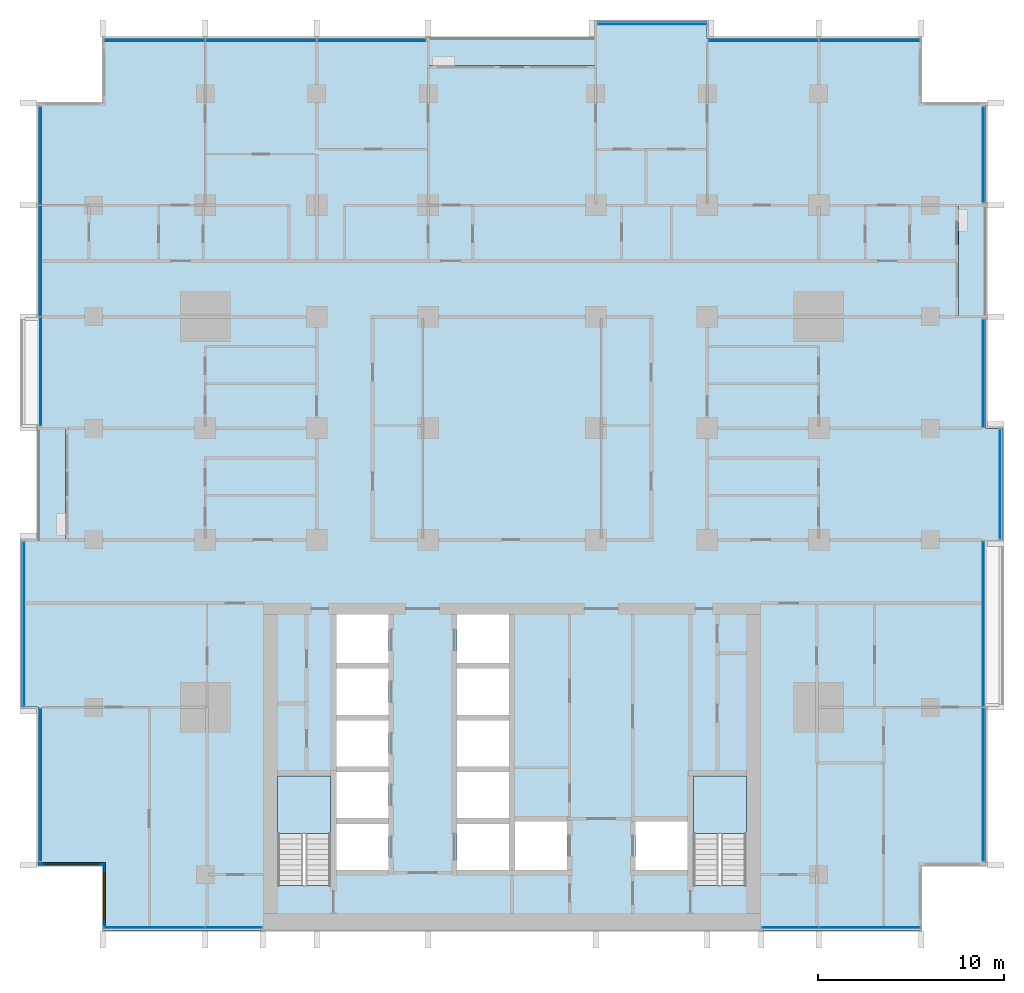
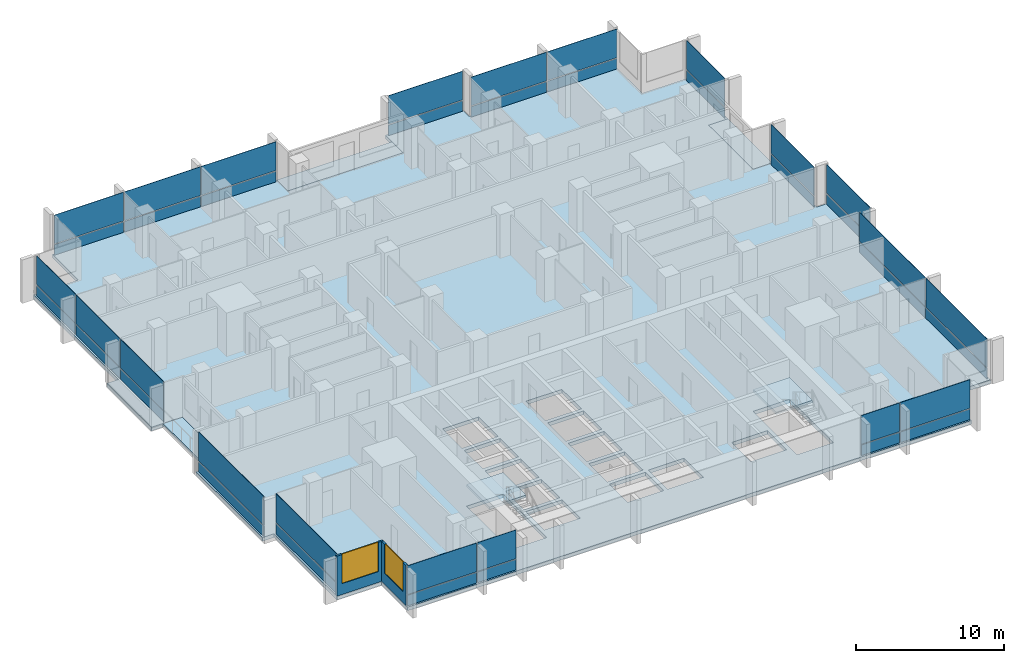
# One storey, part 6 of 17: 40 plates, 6 slabs, 2 walls, 2 windows, 2 openings, 14 elements without a shape of their own.
"""IFC4 building model written with IfcOpenShell, lengths in metres."""

from ifc_helpers import new_model, si_unit, direction, frame, frame_2d, origin, origin_2d, place, context, subcontext, project, spatial, polyline, rectangle, outline, extrude, material, layer, layer_set, type_object, element, fill, aggregate, save


model = new_model("IFC4")

# Units and contexts
model_context = context("Model", 3, precision=1e-05, world=origin(), true_north=direction((0.0, 1.0)))
body_context = subcontext(model_context, "Body", "Model", "MODEL_VIEW")
ifc_project = project(units=[si_unit("LENGTHUNIT", "METRE"), si_unit("AREAUNIT", "SQUARE_METRE"), si_unit("VOLUMEUNIT", "CUBIC_METRE"), si_unit("PLANEANGLEUNIT", "RADIAN"), si_unit("MASSUNIT", "GRAM", prefix="KILO")], contexts=[model_context])

# Site, building, storey
site_placement = place(None, origin())
site = spatial("IfcSite", under=ifc_project, at=site_placement, CompositionType="ELEMENT")
building_placement = place(site_placement, origin())
building = spatial("IfcBuilding", under=site, at=building_placement, Name="Finial Court Residences", CompositionType="ELEMENT")
storey_placement = place(building_placement, frame((0.0, 0.0, 99.10009765625)))
storey = spatial("IfcBuildingStorey", under=building, at=storey_placement, Name="L24", CompositionType="ELEMENT", Elevation=99.10009765625)

# Slabs
ifc_material_1 = material(Name="Concrete C35/45", Category="concrete")
ifc_layer_1 = layer(ifc_material_1, 0.199951171875)
ifc_layer_set_1 = layer_set([ifc_layer_1], Name="Balcony slab, Concrete C35/45 200")
slab_type_1 = type_object("IfcSlabType", Name="Balcony slab, Concrete C35/45 200", PredefinedType="FLOOR", material=ifc_layer_set_1)
slab_1_placement = place(storey_placement, frame((0.0, 0.0, -0.2001953125)))
element("IfcSlab", 1, at=slab_1_placement, inside=storey, type_object=slab_type_1, Name="Balcony L24-N4", PredefinedType="FLOOR", context=body_context, shape_type="SweptSolid", body=[
    extrude(outline(polyline([(4.5, 21.0), (4.5, 22.5), (-4.5, 22.5), (-4.5, 21.0), (4.5, 21.0)])), origin(), (0.0, 0.0, 1.0), 0.2001953125),
])
slab_2_placement = place(storey_placement, frame((0.0, 0.0, -0.2001953125)))
element("IfcSlab", 2, at=slab_2_placement, inside=storey, type_object=slab_type_1, Name="Balcony L24-E5", PredefinedType="FLOOR", context=body_context, shape_type="SweptSolid", body=[
    extrude(outline(polyline([(25.5, 7.5), (25.5, 13.5), (24.0, 13.5), (24.0, 7.5), (25.5, 7.5)])), origin(), (0.0, 0.0, 1.0), 0.2001953125),
])
slab_3_placement = place(storey_placement, frame((0.0, 0.0, -0.2001953125)))
element("IfcSlab", 3, at=slab_3_placement, inside=storey, type_object=slab_type_1, Name="Balcony L24-W3", PredefinedType="FLOOR", context=body_context, shape_type="SweptSolid", body=[
    extrude(outline(polyline([(-24.0, -4.5), (-24.0, 1.5), (-25.5, 1.5), (-25.5, -4.5), (-24.0, -4.5)])), origin(), (0.0, 0.0, 1.0), 0.2001953125),
])

# Curtain wall, plates
ifc_material_2 = material(Name="Bronze anodised aluminium", Category="aluminium")
curtain_wall_type = type_object("IfcCurtainWallType", Name="Unitised curtain wall, lower and middle zones", PredefinedType="NOTDEFINED", material=ifc_material_2)
curtain_wall_1_placement = place(storey_placement, origin())
curtain_wall_1 = element("IfcCurtainWall", 4, at=curtain_wall_1_placement, inside=storey, type_object=curtain_wall_type, Name="E-L24-CW-N1", PredefinedType="NOTDEFINED")
ifc_layer_2 = layer(ifc_material_2, 0.0400390625)
ifc_layer_set_2 = layer_set([ifc_layer_2], Name="CW1 spandrel panel 40")
plate_type_1 = type_object("IfcPlateType", Name="CW1 spandrel panel 40", PredefinedType="CURTAIN_PANEL", material=ifc_layer_set_2)
plate_1_placement = place(storey_placement, frame((-19.23388671875, 22.35009765625, 0.0), z_axis=(0.0, 0.0, 1.0), x_axis=(1.0, 0.0, 0.0)))
plate_1 = element("IfcPlate", 5, at=plate_1_placement, type_object=plate_type_1, Name="CW1 spandrel 1.1", PredefinedType="CURTAIN_PANEL", context=body_context, shape_type="SweptSolid", body=[
    extrude(rectangle(XDim=5.402587890625, YDim=0.0400390625, at=origin_2d()), origin(), (0.0, 0.0, 1.0), 0.867431640625),
])
plate_2_placement = place(storey_placement, frame((-13.5, 22.35009765625, 0.0), z_axis=(0.0, 0.0, 1.0), x_axis=(1.0, 0.0, 0.0)))
plate_2 = element("IfcPlate", 6, at=plate_2_placement, type_object=plate_type_1, Name="CW1 spandrel 2.1", PredefinedType="CURTAIN_PANEL", context=body_context, shape_type="SweptSolid", body=[
    extrude(rectangle(XDim=5.93505859375, YDim=0.0400390625, at=origin_2d()), origin(), (0.0, 0.0, 1.0), 0.867431640625),
])
plate_3_placement = place(storey_placement, frame((-7.5537109375, 22.35009765625, 0.0), z_axis=(0.0, 0.0, 1.0), x_axis=(1.0, 0.0, 0.0)))
plate_3 = element("IfcPlate", 7, at=plate_3_placement, type_object=plate_type_1, Name="CW1 spandrel 3.1", PredefinedType="CURTAIN_PANEL", context=body_context, shape_type="SweptSolid", body=[
    extrude(rectangle(XDim=5.827392578125, YDim=0.0400390625, at=origin_2d()), origin(), (0.0, 0.0, 1.0), 0.867431640625),
])

# Curtain wall, plate
curtain_wall_2_placement = place(storey_placement, origin())
curtain_wall_2 = element("IfcCurtainWall", 8, at=curtain_wall_2_placement, inside=storey, type_object=curtain_wall_type, Name="E-L24-CW-N2", PredefinedType="NOTDEFINED")
plate_4_placement = place(storey_placement, frame((7.53759765625, 23.25, 0.0), z_axis=(0.0, 0.0, 1.0), x_axis=(1.0, 0.0, 0.0)))
plate_4 = element("IfcPlate", 9, at=plate_4_placement, type_object=plate_type_1, Name="CW1 spandrel 1.1", PredefinedType="CURTAIN_PANEL", context=body_context, shape_type="SweptSolid", body=[
    extrude(rectangle(XDim=5.794921875, YDim=0.0400390625, at=origin_2d()), origin(), (0.0, 0.0, 1.0), 0.867431640625),
])

# Curtain wall, plates
curtain_wall_3_placement = place(storey_placement, origin())
curtain_wall_3 = element("IfcCurtainWall", 10, at=curtain_wall_3_placement, inside=storey, type_object=curtain_wall_type, Name="E-L24-CW-N3", PredefinedType="NOTDEFINED")
plate_5_placement = place(storey_placement, frame((13.516357421875, 22.35009765625, 0.0), z_axis=(0.0, 0.0, 1.0), x_axis=(1.0, 0.0, 0.0)))
plate_5 = element("IfcPlate", 11, at=plate_5_placement, type_object=plate_type_1, Name="CW1 spandrel 1.1", PredefinedType="CURTAIN_PANEL", context=body_context, shape_type="SweptSolid", body=[
    extrude(rectangle(XDim=5.902587890625, YDim=0.0400390625, at=origin_2d()), origin(), (0.0, 0.0, 1.0), 0.867431640625),
])
plate_6_placement = place(storey_placement, frame((19.23388671875, 22.35009765625, 0.0), z_axis=(0.0, 0.0, 1.0), x_axis=(1.0, 0.0, 0.0)))
plate_6 = element("IfcPlate", 12, at=plate_6_placement, type_object=plate_type_1, Name="CW1 spandrel 2.1", PredefinedType="CURTAIN_PANEL", context=body_context, shape_type="SweptSolid", body=[
    extrude(rectangle(XDim=5.402587890625, YDim=0.0400390625, at=origin_2d()), origin(), (0.0, 0.0, 1.0), 0.867431640625),
])

curtain_wall_4_placement = place(storey_placement, origin())
curtain_wall_4 = element("IfcCurtainWall", 13, at=curtain_wall_4_placement, inside=storey, type_object=curtain_wall_type, Name="E-L24-CW-E4", PredefinedType="NOTDEFINED")
plate_7_placement = place(storey_placement, frame((25.35009765625, -17.65869140625, 0.0), z_axis=(0.0, 0.0, 1.0), x_axis=(0.0, 1.0, 0.0)))
plate_7 = element("IfcPlate", 14, at=plate_7_placement, type_object=plate_type_1, Name="CW1 spandrel 1.1", PredefinedType="CURTAIN_PANEL", context=body_context, shape_type="SweptSolid", body=[
    extrude(rectangle(XDim=8.25244140625, YDim=0.0400390625, at=origin_2d()), origin(), (0.0, 0.0, 1.0), 0.867431640625),
])
plate_8_placement = place(storey_placement, frame((25.35009765625, -9.01611328125, 0.0), z_axis=(0.0, 0.0, 1.0), x_axis=(0.0, 1.0, 0.0)))
plate_8 = element("IfcPlate", 15, at=plate_8_placement, type_object=plate_type_1, Name="CW1 spandrel 2.1", PredefinedType="CURTAIN_PANEL", context=body_context, shape_type="SweptSolid", body=[
    extrude(rectangle(XDim=8.902587890625, YDim=0.0400390625, at=origin_2d()), origin(), (0.0, 0.0, 1.0), 0.867431640625),
])

# Curtain wall, plate
curtain_wall_5_placement = place(storey_placement, origin())
curtain_wall_5 = element("IfcCurtainWall", 16, at=curtain_wall_5_placement, inside=storey, type_object=curtain_wall_type, Name="E-L24-CW-E5", PredefinedType="NOTDEFINED")
plate_9_placement = place(storey_placement, frame((26.25, -1.5, 0.0), z_axis=(0.0, 0.0, 1.0), x_axis=(0.0, 1.0, 0.0)))
plate_9 = element("IfcPlate", 17, at=plate_9_placement, type_object=plate_type_1, Name="CW1 spandrel 1.1", PredefinedType="CURTAIN_PANEL", context=body_context, shape_type="SweptSolid", body=[
    extrude(rectangle(XDim=5.8701171875, YDim=0.0400390625, at=origin_2d()), origin(), (0.0, 0.0, 1.0), 0.867431640625),
])

curtain_wall_6_placement = place(storey_placement, origin())
curtain_wall_6 = element("IfcCurtainWall", 18, at=curtain_wall_6_placement, inside=storey, type_object=curtain_wall_type, Name="E-L24-CW-E6", PredefinedType="NOTDEFINED")
plate_10_placement = place(storey_placement, frame((25.35009765625, 4.46240234375, 0.0), z_axis=(0.0, 0.0, 1.0), x_axis=(0.0, 1.0, 0.0)))
plate_10 = element("IfcPlate", 19, at=plate_10_placement, type_object=plate_type_1, Name="CW1 spandrel 1.1", PredefinedType="CURTAIN_PANEL", context=body_context, shape_type="SweptSolid", body=[
    extrude(rectangle(XDim=5.794921875, YDim=0.0400390625, at=origin_2d()), origin(), (0.0, 0.0, 1.0), 0.867431640625),
])

curtain_wall_7_placement = place(storey_placement, origin())
curtain_wall_7 = element("IfcCurtainWall", 20, at=curtain_wall_7_placement, inside=storey, type_object=curtain_wall_type, Name="E-L24-CW-E7", PredefinedType="NOTDEFINED")
plate_11_placement = place(storey_placement, frame((25.35009765625, 16.21240234375, 0.0), z_axis=(0.0, 0.0, 1.0), x_axis=(0.0, 1.0, 0.0)))
plate_11 = element("IfcPlate", 21, at=plate_11_placement, type_object=plate_type_1, Name="CW1 spandrel 1.1", PredefinedType="CURTAIN_PANEL", context=body_context, shape_type="SweptSolid", body=[
    extrude(rectangle(XDim=5.14501953125, YDim=0.0400390625, at=origin_2d()), origin(), (0.0, 0.0, 1.0), 0.867431640625),
])

# Curtain wall, plates
curtain_wall_8_placement = place(storey_placement, origin())
curtain_wall_8 = element("IfcCurtainWall", 22, at=curtain_wall_8_placement, inside=storey, type_object=curtain_wall_type, Name="E-L24-CW-S8", PredefinedType="NOTDEFINED")
plate_12_placement = place(storey_placement, frame((-19.23388671875, -25.35009765625, 0.0), z_axis=(0.0, 0.0, 1.0), x_axis=(1.0, 0.0, 0.0)))
plate_12 = element("IfcPlate", 23, at=plate_12_placement, type_object=plate_type_1, Name="CW1 spandrel 1.1", PredefinedType="CURTAIN_PANEL", context=body_context, shape_type="SweptSolid", body=[
    extrude(rectangle(XDim=5.402587890625, YDim=0.0400390625, at=origin_2d()), origin(), (0.0, 0.0, 1.0), 0.867431640625),
])
plate_13_placement = place(storey_placement, frame((-14.96630859375, -25.35009765625, 0.0), z_axis=(0.0, 0.0, 1.0), x_axis=(1.0, 0.0, 0.0)))
plate_13 = element("IfcPlate", 24, at=plate_13_placement, type_object=plate_type_1, Name="CW1 spandrel 2.1", PredefinedType="CURTAIN_PANEL", context=body_context, shape_type="SweptSolid", body=[
    extrude(rectangle(XDim=3.00244140625, YDim=0.0400390625, at=origin_2d()), origin(), (0.0, 0.0, 1.0), 0.867431640625),
])

curtain_wall_9_placement = place(storey_placement, origin())
curtain_wall_9 = element("IfcCurtainWall", 25, at=curtain_wall_9_placement, inside=storey, type_object=curtain_wall_type, Name="E-L24-CW-S9", PredefinedType="NOTDEFINED")
plate_14_placement = place(storey_placement, frame((14.96630859375, -25.35009765625, 0.0), z_axis=(0.0, 0.0, 1.0), x_axis=(1.0, 0.0, 0.0)))
plate_14 = element("IfcPlate", 26, at=plate_14_placement, type_object=plate_type_1, Name="CW1 spandrel 1.1", PredefinedType="CURTAIN_PANEL", context=body_context, shape_type="SweptSolid", body=[
    extrude(rectangle(XDim=3.00244140625, YDim=0.0400390625, at=origin_2d()), origin(), (0.0, 0.0, 1.0), 0.867431640625),
])
plate_15_placement = place(storey_placement, frame((19.23388671875, -25.35009765625, 0.0), z_axis=(0.0, 0.0, 1.0), x_axis=(1.0, 0.0, 0.0)))
plate_15 = element("IfcPlate", 27, at=plate_15_placement, type_object=plate_type_1, Name="CW1 spandrel 2.1", PredefinedType="CURTAIN_PANEL", context=body_context, shape_type="SweptSolid", body=[
    extrude(rectangle(XDim=5.402587890625, YDim=0.0400390625, at=origin_2d()), origin(), (0.0, 0.0, 1.0), 0.867431640625),
])

# Curtain wall, plate
curtain_wall_10_placement = place(storey_placement, origin())
curtain_wall_10 = element("IfcCurtainWall", 28, at=curtain_wall_10_placement, inside=storey, type_object=curtain_wall_type, Name="E-L24-CW-W10", PredefinedType="NOTDEFINED")
plate_16_placement = place(storey_placement, frame((-25.35009765625, -17.675048828125, 0.0), z_axis=(0.0, 0.0, 1.0), x_axis=(0.0, 1.0, 0.0)))
plate_16 = element("IfcPlate", 29, at=plate_16_placement, type_object=plate_type_1, Name="CW1 spandrel 1.1", PredefinedType="CURTAIN_PANEL", context=body_context, shape_type="SweptSolid", body=[
    extrude(rectangle(XDim=8.219970703125, YDim=0.0400390625, at=origin_2d()), origin(), (0.0, 0.0, 1.0), 0.867431640625),
])

curtain_wall_11_placement = place(storey_placement, origin())
curtain_wall_11 = element("IfcCurtainWall", 30, at=curtain_wall_11_placement, inside=storey, type_object=curtain_wall_type, Name="E-L24-CW-W11", PredefinedType="NOTDEFINED")
plate_17_placement = place(storey_placement, frame((-26.25, -9.03759765625, 0.0), z_axis=(0.0, 0.0, 1.0), x_axis=(0.0, 1.0, 0.0)))
plate_17 = element("IfcPlate", 31, at=plate_17_placement, type_object=plate_type_1, Name="CW1 spandrel 1.1", PredefinedType="CURTAIN_PANEL", context=body_context, shape_type="SweptSolid", body=[
    extrude(rectangle(XDim=8.794921875, YDim=0.0400390625, at=origin_2d()), origin(), (0.0, 0.0, 1.0), 0.867431640625),
])

# Curtain wall, plates
curtain_wall_12_placement = place(storey_placement, origin())
curtain_wall_12 = element("IfcCurtainWall", 32, at=curtain_wall_12_placement, inside=storey, type_object=curtain_wall_type, Name="E-L24-CW-W12", PredefinedType="NOTDEFINED")
plate_18_placement = place(storey_placement, frame((-25.35009765625, 4.5537109375, 0.0), z_axis=(0.0, 0.0, 1.0), x_axis=(0.0, 1.0, 0.0)))
plate_18 = element("IfcPlate", 33, at=plate_18_placement, type_object=plate_type_1, Name="CW1 spandrel 1.1", PredefinedType="CURTAIN_PANEL", context=body_context, shape_type="SweptSolid", body=[
    extrude(rectangle(XDim=5.827392578125, YDim=0.0400390625, at=origin_2d()), origin(), (0.0, 0.0, 1.0), 0.867431640625),
])
plate_19_placement = place(storey_placement, frame((-25.35009765625, 10.5, 0.0), z_axis=(0.0, 0.0, 1.0), x_axis=(0.0, 1.0, 0.0)))
plate_19 = element("IfcPlate", 34, at=plate_19_placement, type_object=plate_type_1, Name="CW1 spandrel 2.1", PredefinedType="CURTAIN_PANEL", context=body_context, shape_type="SweptSolid", body=[
    extrude(rectangle(XDim=5.93505859375, YDim=0.0400390625, at=origin_2d()), origin(), (0.0, 0.0, 1.0), 0.867431640625),
])
plate_20_placement = place(storey_placement, frame((-25.35009765625, 16.15869140625, 0.0), z_axis=(0.0, 0.0, 1.0), x_axis=(0.0, 1.0, 0.0)))
plate_20 = element("IfcPlate", 35, at=plate_20_placement, type_object=plate_type_1, Name="CW1 spandrel 3.1", PredefinedType="CURTAIN_PANEL", context=body_context, shape_type="SweptSolid", body=[
    extrude(rectangle(XDim=5.25244140625, YDim=0.0400390625, at=origin_2d()), origin(), (0.0, 0.0, 1.0), 0.867431640625),
])

# Plate
ifc_material_3 = material(Name="Clear low-e glass", Category="glass")
ifc_layer_3 = layer(ifc_material_3, 0.031982421875)
ifc_layer_set_3 = layer_set([ifc_layer_3], Name="CW1 vision glass 32")
plate_type_2 = type_object("IfcPlateType", Name="CW1 vision glass 32", PredefinedType="CURTAIN_PANEL", material=ifc_layer_set_3)
plate_21_placement = place(storey_placement, frame((-19.23388671875, 22.35009765625, 0.9326171875), z_axis=(0.0, 0.0, 1.0), x_axis=(1.0, 0.0, 0.0)))
plate_21 = element("IfcPlate", 36, at=plate_21_placement, type_object=plate_type_2, Name="CW1 glass 1.2", PredefinedType="CURTAIN_PANEL", context=body_context, shape_type="SweptSolid", body=[
    extrude(rectangle(XDim=5.402587890625, YDim=0.031982421875, at=origin_2d()), origin(), (0.0, 0.0, 1.0), 2.367431640625),
])

plate_22_placement = place(storey_placement, frame((-13.5, 22.35009765625, 0.9326171875), z_axis=(0.0, 0.0, 1.0), x_axis=(1.0, 0.0, 0.0)))
plate_22 = element("IfcPlate", 37, at=plate_22_placement, type_object=plate_type_2, Name="CW1 glass 2.2", PredefinedType="CURTAIN_PANEL", context=body_context, shape_type="SweptSolid", body=[
    extrude(rectangle(XDim=5.93505859375, YDim=0.031982421875, at=origin_2d()), origin(), (0.0, 0.0, 1.0), 2.367431640625),
])

plate_23_placement = place(storey_placement, frame((-7.5537109375, 22.35009765625, 0.9326171875), z_axis=(0.0, 0.0, 1.0), x_axis=(1.0, 0.0, 0.0)))
plate_23 = element("IfcPlate", 38, at=plate_23_placement, type_object=plate_type_2, Name="CW1 glass 3.2", PredefinedType="CURTAIN_PANEL", context=body_context, shape_type="SweptSolid", body=[
    extrude(rectangle(XDim=5.827392578125, YDim=0.031982421875, at=origin_2d()), origin(), (0.0, 0.0, 1.0), 2.367431640625),
])

aggregate(curtain_wall_1, [plate_1, plate_21, plate_2, plate_22, plate_3, plate_23])

plate_24_placement = place(storey_placement, frame((7.53759765625, 23.25, 0.9326171875), z_axis=(0.0, 0.0, 1.0), x_axis=(1.0, 0.0, 0.0)))
plate_24 = element("IfcPlate", 39, at=plate_24_placement, type_object=plate_type_2, Name="CW1 glass 1.2", PredefinedType="CURTAIN_PANEL", context=body_context, shape_type="SweptSolid", body=[
    extrude(rectangle(XDim=5.794921875, YDim=0.031982421875, at=origin_2d()), origin(), (0.0, 0.0, 1.0), 2.367431640625),
])

aggregate(curtain_wall_2, [plate_4, plate_24])

plate_25_placement = place(storey_placement, frame((13.516357421875, 22.35009765625, 0.9326171875), z_axis=(0.0, 0.0, 1.0), x_axis=(1.0, 0.0, 0.0)))
plate_25 = element("IfcPlate", 40, at=plate_25_placement, type_object=plate_type_2, Name="CW1 glass 1.2", PredefinedType="CURTAIN_PANEL", context=body_context, shape_type="SweptSolid", body=[
    extrude(rectangle(XDim=5.902587890625, YDim=0.031982421875, at=origin_2d()), origin(), (0.0, 0.0, 1.0), 2.367431640625),
])

plate_26_placement = place(storey_placement, frame((19.23388671875, 22.35009765625, 0.9326171875), z_axis=(0.0, 0.0, 1.0), x_axis=(1.0, 0.0, 0.0)))
plate_26 = element("IfcPlate", 41, at=plate_26_placement, type_object=plate_type_2, Name="CW1 glass 2.2", PredefinedType="CURTAIN_PANEL", context=body_context, shape_type="SweptSolid", body=[
    extrude(rectangle(XDim=5.402587890625, YDim=0.031982421875, at=origin_2d()), origin(), (0.0, 0.0, 1.0), 2.367431640625),
])

aggregate(curtain_wall_3, [plate_5, plate_25, plate_6, plate_26])

plate_27_placement = place(storey_placement, frame((25.35009765625, -17.65869140625, 0.9326171875), z_axis=(0.0, 0.0, 1.0), x_axis=(0.0, 1.0, 0.0)))
plate_27 = element("IfcPlate", 42, at=plate_27_placement, type_object=plate_type_2, Name="CW1 glass 1.2", PredefinedType="CURTAIN_PANEL", context=body_context, shape_type="SweptSolid", body=[
    extrude(rectangle(XDim=8.25244140625, YDim=0.031982421875, at=origin_2d()), origin(), (0.0, 0.0, 1.0), 2.367431640625),
])

plate_28_placement = place(storey_placement, frame((25.35009765625, -9.01611328125, 0.9326171875), z_axis=(0.0, 0.0, 1.0), x_axis=(0.0, 1.0, 0.0)))
plate_28 = element("IfcPlate", 43, at=plate_28_placement, type_object=plate_type_2, Name="CW1 glass 2.2", PredefinedType="CURTAIN_PANEL", context=body_context, shape_type="SweptSolid", body=[
    extrude(rectangle(XDim=8.902587890625, YDim=0.031982421875, at=origin_2d()), origin(), (0.0, 0.0, 1.0), 2.367431640625),
])

aggregate(curtain_wall_4, [plate_7, plate_27, plate_8, plate_28])

plate_29_placement = place(storey_placement, frame((26.25, -1.5, 0.9326171875), z_axis=(0.0, 0.0, 1.0), x_axis=(0.0, 1.0, 0.0)))
plate_29 = element("IfcPlate", 44, at=plate_29_placement, type_object=plate_type_2, Name="CW1 glass 1.2", PredefinedType="CURTAIN_PANEL", context=body_context, shape_type="SweptSolid", body=[
    extrude(rectangle(XDim=5.8701171875, YDim=0.031982421875, at=origin_2d()), origin(), (0.0, 0.0, 1.0), 2.367431640625),
])

aggregate(curtain_wall_5, [plate_9, plate_29])

plate_30_placement = place(storey_placement, frame((25.35009765625, 4.46240234375, 0.9326171875), z_axis=(0.0, 0.0, 1.0), x_axis=(0.0, 1.0, 0.0)))
plate_30 = element("IfcPlate", 45, at=plate_30_placement, type_object=plate_type_2, Name="CW1 glass 1.2", PredefinedType="CURTAIN_PANEL", context=body_context, shape_type="SweptSolid", body=[
    extrude(rectangle(XDim=5.794921875, YDim=0.031982421875, at=origin_2d()), origin(), (0.0, 0.0, 1.0), 2.367431640625),
])

aggregate(curtain_wall_6, [plate_10, plate_30])

plate_31_placement = place(storey_placement, frame((25.35009765625, 16.21240234375, 0.9326171875), z_axis=(0.0, 0.0, 1.0), x_axis=(0.0, 1.0, 0.0)))
plate_31 = element("IfcPlate", 46, at=plate_31_placement, type_object=plate_type_2, Name="CW1 glass 1.2", PredefinedType="CURTAIN_PANEL", context=body_context, shape_type="SweptSolid", body=[
    extrude(rectangle(XDim=5.14501953125, YDim=0.031982421875, at=origin_2d()), origin(), (0.0, 0.0, 1.0), 2.367431640625),
])

aggregate(curtain_wall_7, [plate_11, plate_31])

plate_32_placement = place(storey_placement, frame((-19.23388671875, -25.35009765625, 0.9326171875), z_axis=(0.0, 0.0, 1.0), x_axis=(1.0, 0.0, 0.0)))
plate_32 = element("IfcPlate", 47, at=plate_32_placement, type_object=plate_type_2, Name="CW1 glass 1.2", PredefinedType="CURTAIN_PANEL", context=body_context, shape_type="SweptSolid", body=[
    extrude(rectangle(XDim=5.402587890625, YDim=0.031982421875, at=origin_2d()), origin(), (0.0, 0.0, 1.0), 2.367431640625),
])

plate_33_placement = place(storey_placement, frame((-14.96630859375, -25.35009765625, 0.9326171875), z_axis=(0.0, 0.0, 1.0), x_axis=(1.0, 0.0, 0.0)))
plate_33 = element("IfcPlate", 48, at=plate_33_placement, type_object=plate_type_2, Name="CW1 glass 2.2", PredefinedType="CURTAIN_PANEL", context=body_context, shape_type="SweptSolid", body=[
    extrude(rectangle(XDim=3.00244140625, YDim=0.031982421875, at=origin_2d()), origin(), (0.0, 0.0, 1.0), 2.367431640625),
])

aggregate(curtain_wall_8, [plate_12, plate_32, plate_13, plate_33])

plate_34_placement = place(storey_placement, frame((14.96630859375, -25.35009765625, 0.9326171875), z_axis=(0.0, 0.0, 1.0), x_axis=(1.0, 0.0, 0.0)))
plate_34 = element("IfcPlate", 49, at=plate_34_placement, type_object=plate_type_2, Name="CW1 glass 1.2", PredefinedType="CURTAIN_PANEL", context=body_context, shape_type="SweptSolid", body=[
    extrude(rectangle(XDim=3.00244140625, YDim=0.031982421875, at=origin_2d()), origin(), (0.0, 0.0, 1.0), 2.367431640625),
])

plate_35_placement = place(storey_placement, frame((19.23388671875, -25.35009765625, 0.9326171875), z_axis=(0.0, 0.0, 1.0), x_axis=(1.0, 0.0, 0.0)))
plate_35 = element("IfcPlate", 50, at=plate_35_placement, type_object=plate_type_2, Name="CW1 glass 2.2", PredefinedType="CURTAIN_PANEL", context=body_context, shape_type="SweptSolid", body=[
    extrude(rectangle(XDim=5.402587890625, YDim=0.031982421875, at=origin_2d()), origin(), (0.0, 0.0, 1.0), 2.367431640625),
])

aggregate(curtain_wall_9, [plate_14, plate_34, plate_15, plate_35])

plate_36_placement = place(storey_placement, frame((-25.35009765625, -17.675048828125, 0.9326171875), z_axis=(0.0, 0.0, 1.0), x_axis=(0.0, 1.0, 0.0)))
plate_36 = element("IfcPlate", 51, at=plate_36_placement, type_object=plate_type_2, Name="CW1 glass 1.2", PredefinedType="CURTAIN_PANEL", context=body_context, shape_type="SweptSolid", body=[
    extrude(rectangle(XDim=8.219970703125, YDim=0.031982421875, at=origin_2d()), origin(), (0.0, 0.0, 1.0), 2.367431640625),
])

aggregate(curtain_wall_10, [plate_16, plate_36])

plate_37_placement = place(storey_placement, frame((-26.25, -9.03759765625, 0.9326171875), z_axis=(0.0, 0.0, 1.0), x_axis=(0.0, 1.0, 0.0)))
plate_37 = element("IfcPlate", 52, at=plate_37_placement, type_object=plate_type_2, Name="CW1 glass 1.2", PredefinedType="CURTAIN_PANEL", context=body_context, shape_type="SweptSolid", body=[
    extrude(rectangle(XDim=8.794921875, YDim=0.031982421875, at=origin_2d()), origin(), (0.0, 0.0, 1.0), 2.367431640625),
])

aggregate(curtain_wall_11, [plate_17, plate_37])

plate_38_placement = place(storey_placement, frame((-25.35009765625, 4.5537109375, 0.9326171875), z_axis=(0.0, 0.0, 1.0), x_axis=(0.0, 1.0, 0.0)))
plate_38 = element("IfcPlate", 53, at=plate_38_placement, type_object=plate_type_2, Name="CW1 glass 1.2", PredefinedType="CURTAIN_PANEL", context=body_context, shape_type="SweptSolid", body=[
    extrude(rectangle(XDim=5.827392578125, YDim=0.031982421875, at=origin_2d()), origin(), (0.0, 0.0, 1.0), 2.367431640625),
])

plate_39_placement = place(storey_placement, frame((-25.35009765625, 10.5, 0.9326171875), z_axis=(0.0, 0.0, 1.0), x_axis=(0.0, 1.0, 0.0)))
plate_39 = element("IfcPlate", 54, at=plate_39_placement, type_object=plate_type_2, Name="CW1 glass 2.2", PredefinedType="CURTAIN_PANEL", context=body_context, shape_type="SweptSolid", body=[
    extrude(rectangle(XDim=5.93505859375, YDim=0.031982421875, at=origin_2d()), origin(), (0.0, 0.0, 1.0), 2.367431640625),
])

plate_40_placement = place(storey_placement, frame((-25.35009765625, 16.15869140625, 0.9326171875), z_axis=(0.0, 0.0, 1.0), x_axis=(0.0, 1.0, 0.0)))
plate_40 = element("IfcPlate", 55, at=plate_40_placement, type_object=plate_type_2, Name="CW1 glass 3.2", PredefinedType="CURTAIN_PANEL", context=body_context, shape_type="SweptSolid", body=[
    extrude(rectangle(XDim=5.25244140625, YDim=0.031982421875, at=origin_2d()), origin(), (0.0, 0.0, 1.0), 2.367431640625),
])

aggregate(curtain_wall_12, [plate_18, plate_38, plate_19, plate_39, plate_20, plate_40])

# Stair, slab
ifc_material_4 = material(Name="Concrete C50/60", Category="concrete")
stair_type = type_object("IfcStairType", Name="Exit stair 22 risers of 163.6 mm", PredefinedType="HALF_TURN_STAIR", material=ifc_material_4)
stair_1_placement = place(storey_placement, origin())
stair_1 = element("IfcStair", 56, at=stair_1_placement, inside=storey, type_object=stair_type, Name="L24 Exit stair ST-1", PredefinedType="HALF_TURN_STAIR")
ifc_layer_4 = layer(ifc_material_4, 0.199951171875)
ifc_layer_set_4 = layer_set([ifc_layer_4], Name="Exit stair landing")
slab_type_2 = type_object("IfcSlabType", Name="Exit stair landing", PredefinedType="LANDING", material=ifc_layer_set_4)
slab_4_placement = place(storey_placement, frame((0.0, 0.0, 1.599853515625)))
slab_4 = element("IfcSlab", 57, at=slab_4_placement, type_object=slab_type_2, Name="ST-1 landing 1", PredefinedType="LANDING", context=body_context, shape_type="SweptSolid", body=[
    extrude(outline(polyline([(-9.75, -20.300048828125), (-9.75, -17.199951171875), (-12.60009765625, -17.199951171875), (-12.60009765625, -20.300048828125), (-9.75, -20.300048828125)])), origin(), (0.0, 0.0, 1.0), 0.199951171875),
])
aggregate(stair_1, [slab_4])

stair_2_placement = place(storey_placement, origin())
stair_2 = element("IfcStair", 58, at=stair_2_placement, inside=storey, type_object=stair_type, Name="L24 Exit stair ST-2", PredefinedType="HALF_TURN_STAIR")
slab_5_placement = place(storey_placement, frame((0.0, 0.0, 1.599853515625)))
slab_5 = element("IfcSlab", 59, at=slab_5_placement, type_object=slab_type_2, Name="ST-2 landing 1", PredefinedType="LANDING", context=body_context, shape_type="SweptSolid", body=[
    extrude(outline(polyline([(12.60009765625, -20.300048828125), (12.60009765625, -17.199951171875), (9.75, -17.199951171875), (9.75, -20.300048828125), (12.60009765625, -20.300048828125)])), origin(), (0.0, 0.0, 1.0), 0.199951171875),
])
aggregate(stair_2, [slab_5])

# Slab
ifc_material_5 = material(Name="Concrete C40/50", Category="concrete")
ifc_layer_5 = layer(ifc_material_5, 0.300048828125)
ifc_layer_set_5 = layer_set([ifc_layer_5], Name="Flat plate slab 300 Concrete C40/50")
slab_type_3 = type_object("IfcSlabType", Name="Flat plate slab 300 Concrete C40/50", PredefinedType="FLOOR", material=ifc_layer_set_5)
slab_6_placement = place(storey_placement, frame((0.0, 0.0, -0.300048828125)))
element("IfcSlab", 60, at=slab_6_placement, inside=storey, type_object=slab_type_3, Name="S:SLAB:L24", PredefinedType="FLOOR", context=body_context, shape_type="SweptSolid", body=[
    extrude(outline(polyline([(26.39990234375, -13.5), (25.5, -13.5), (25.5, -22.0), (22.0, -22.0), (22.0, -25.5), (-22.0, -25.5), (-22.0, -22.0), (-25.5, -22.0), (-25.5, -13.5), (-26.39990234375, -13.5), (-26.39990234375, -4.5), (-25.5, -4.5), (-24.0, -4.5), (-24.0, 1.5), (-25.5, 1.5), (-26.39990234375, 1.5), (-26.39990234375, 7.5), (-25.5, 7.5), (-25.5, 19.0), (-22.0, 19.0), (-22.0, 22.5), (-4.5, 22.5), (-4.5, 21.0), (4.5, 21.0), (4.5, 22.5), (4.5, 23.39990234375), (10.5, 23.39990234375), (10.5, 22.5), (22.0, 22.5), (22.0, 19.0), (25.5, 19.0), (25.5, 13.5), (24.0, 13.5), (24.0, 7.5), (25.5, 7.5), (25.5, 1.5), (26.39990234375, 1.5), (26.39990234375, -4.5), (26.39990234375, -13.5)]), holes=[polyline([(-6.64990234375, -19.77001953125), (-9.449951171875, -19.77001953125), (-9.449951171875, -22.25), (-6.64990234375, -22.25), (-6.64990234375, -19.77001953125)]), polyline([(-9.75, -17.199951171875), (-12.60009765625, -17.199951171875), (-12.60009765625, -23.09912109375), (-9.75, -23.09912109375), (-9.75, -17.199951171875)]), polyline([(-6.64990234375, -19.469970703125), (-6.64990234375, -16.989990234375), (-9.449951171875, -16.989990234375), (-9.449951171875, -19.469970703125), (-6.64990234375, -19.469970703125)]), polyline([(-6.64990234375, -16.68994140625), (-6.64990234375, -14.2099609375), (-9.449951171875, -14.2099609375), (-9.449951171875, -16.68994140625), (-6.64990234375, -16.68994140625)]), polyline([(-6.64990234375, -13.909912109375), (-6.64990234375, -11.429931640625), (-9.449951171875, -11.429931640625), (-9.449951171875, -13.909912109375), (-6.64990234375, -13.909912109375)]), polyline([(-6.64990234375, -11.1298828125), (-6.64990234375, -8.5), (-9.449951171875, -8.5), (-9.449951171875, -11.1298828125), (-6.64990234375, -11.1298828125)]), polyline([(-0.14990234375, -11.1298828125), (-0.14990234375, -8.5), (-2.949951171875, -8.5), (-2.949951171875, -11.1298828125), (-0.14990234375, -11.1298828125)]), polyline([(-0.14990234375, -19.77001953125), (-2.949951171875, -19.77001953125), (-2.949951171875, -22.25), (-0.14990234375, -22.25), (-0.14990234375, -19.77001953125)]), polyline([(2.949951171875, -22.25), (2.949951171875, -19.64990234375), (0.14990234375, -19.64990234375), (0.14990234375, -22.25), (2.949951171875, -22.25)]), polyline([(9.449951171875, -22.25), (9.449951171875, -19.64990234375), (6.64990234375, -19.64990234375), (6.64990234375, -22.25), (9.449951171875, -22.25)]), polyline([(12.60009765625, -17.199951171875), (9.75, -17.199951171875), (9.75, -23.09912109375), (12.60009765625, -23.09912109375), (12.60009765625, -17.199951171875)]), polyline([(-0.14990234375, -19.469970703125), (-0.14990234375, -16.989990234375), (-2.949951171875, -16.989990234375), (-2.949951171875, -19.469970703125), (-0.14990234375, -19.469970703125)]), polyline([(-0.14990234375, -16.68994140625), (-0.14990234375, -14.2099609375), (-2.949951171875, -14.2099609375), (-2.949951171875, -16.68994140625), (-0.14990234375, -16.68994140625)]), polyline([(-0.14990234375, -13.909912109375), (-0.14990234375, -11.429931640625), (-2.949951171875, -11.429931640625), (-2.949951171875, -13.909912109375), (-0.14990234375, -13.909912109375)])]), origin(), (0.0, 0.0, 1.0), 0.300048828125),
])

# Wall, opening, window
ifc_material_6 = material(Name="Natural limestone", Category="masonry")
ifc_layer_6 = layer(ifc_material_6, 0.14990234375)
ifc_layer_set_6 = layer_set([ifc_layer_6], Name="Limestone clad wall 150")
wall_type = type_object("IfcWallType", Name="Limestone clad wall 150", PredefinedType="SOLIDWALL", material=ifc_layer_set_6)
wall_1_placement = place(storey_placement, frame((-21.925048828125, -25.25, 0.0), z_axis=(0.0, 0.0, 1.0), x_axis=(0.0, 1.0, 0.0)))
wall_1 = element("IfcWall", 61, at=wall_1_placement, inside=storey, type_object=wall_type, Name="E-L24-NWW13", PredefinedType="SOLIDWALL", context=body_context, shape_type="SweptSolid", body=[
    extrude(rectangle(XDim=3.25, YDim=0.14990234375, at=frame_2d((1.625, 0.0))), origin(), (0.0, 0.0, 1.0), 3.2998046875),
])
opening_1_placement = place(wall_1_placement, frame((0.39990234375, 0.0, 0.89990234375)))
opening_1 = element("IfcOpeningElement", 62, at=opening_1_placement, cuts=wall_1, Name="Opening WE24-01", PredefinedType="OPENING", context=body_context, shape_type="SweptSolid", body=[
    extrude(rectangle(XDim=2.449951171875, YDim=2.39990234375, at=frame_2d((1.22509765625, 1.199951171875))), frame((0.0, 0.0849609375, 0.0), z_axis=(0.0, -1.0, 0.0), x_axis=(1.0, 0.0, 0.0)), (0.0, 0.0, 1.0), 0.169921875),
])
window_type_1 = type_object("IfcWindowType", Name="Corner window 2450 x 2400", PartitioningType="SINGLE_PANEL", PredefinedType="WINDOW", material=ifc_material_3)
window_1_placement = place(opening_1_placement, origin())
window_1 = element("IfcWindow", 63, at=window_1_placement, inside=storey, type_object=window_type_1, Name="E-L24-NWW13-W1", OverallHeight=2.39990234375, OverallWidth=2.449951171875, PartitioningType="SINGLE_PANEL", PredefinedType="WINDOW", context=body_context, shape_type="SweptSolid", body=[
    extrude(rectangle(XDim=2.449951171875, YDim=2.39990234375, at=frame_2d((1.22509765625, 1.199951171875))), frame((0.0, 0.030029296875, 0.0), z_axis=(0.0, -1.0, 0.0), x_axis=(1.0, 0.0, 0.0)), (0.0, 0.0, 1.0), 0.06005859375),
])
fill(opening_1, window_1)

wall_2_placement = place(storey_placement, frame((-21.85009765625, -21.925048828125, 0.0), z_axis=(0.0, 0.0, 1.0), x_axis=(-1.0, 0.0, 0.0)))
wall_2 = element("IfcWall", 64, at=wall_2_placement, inside=storey, type_object=wall_type, Name="E-L24-NWS14", PredefinedType="SOLIDWALL", context=body_context, shape_type="SweptSolid", body=[
    extrude(rectangle(XDim=3.64990234375, YDim=0.14990234375, at=frame_2d((1.824951171875, 0.0))), origin(), (0.0, 0.0, 1.0), 3.2998046875),
])
opening_2_placement = place(wall_2_placement, frame((0.39990234375, 0.0, 0.89990234375)))
opening_2 = element("IfcOpeningElement", 65, at=opening_2_placement, cuts=wall_2, Name="Opening WE24-02", PredefinedType="OPENING", context=body_context, shape_type="SweptSolid", body=[
    extrude(rectangle(XDim=2.85009765625, YDim=2.39990234375, at=frame_2d((1.425048828125, 1.199951171875))), frame((0.0, 0.0849609375, 0.0), z_axis=(0.0, -1.0, 0.0), x_axis=(1.0, 0.0, 0.0)), (0.0, 0.0, 1.0), 0.169921875),
])
window_type_2 = type_object("IfcWindowType", Name="Corner window 2850 x 2400", PartitioningType="SINGLE_PANEL", PredefinedType="WINDOW", material=ifc_material_3)
window_2_placement = place(opening_2_placement, origin())
window_2 = element("IfcWindow", 66, at=window_2_placement, inside=storey, type_object=window_type_2, Name="E-L24-NWS14-W1", OverallHeight=2.39990234375, OverallWidth=2.85009765625, PartitioningType="SINGLE_PANEL", PredefinedType="WINDOW", context=body_context, shape_type="SweptSolid", body=[
    extrude(rectangle(XDim=2.85009765625, YDim=2.39990234375, at=frame_2d((1.425048828125, 1.199951171875))), frame((0.0, 0.030029296875, 0.0), z_axis=(0.0, -1.0, 0.0), x_axis=(1.0, 0.0, 0.0)), (0.0, 0.0, 1.0), 0.06005859375),
])
fill(opening_2, window_2)

save(model, "model.ifc")
